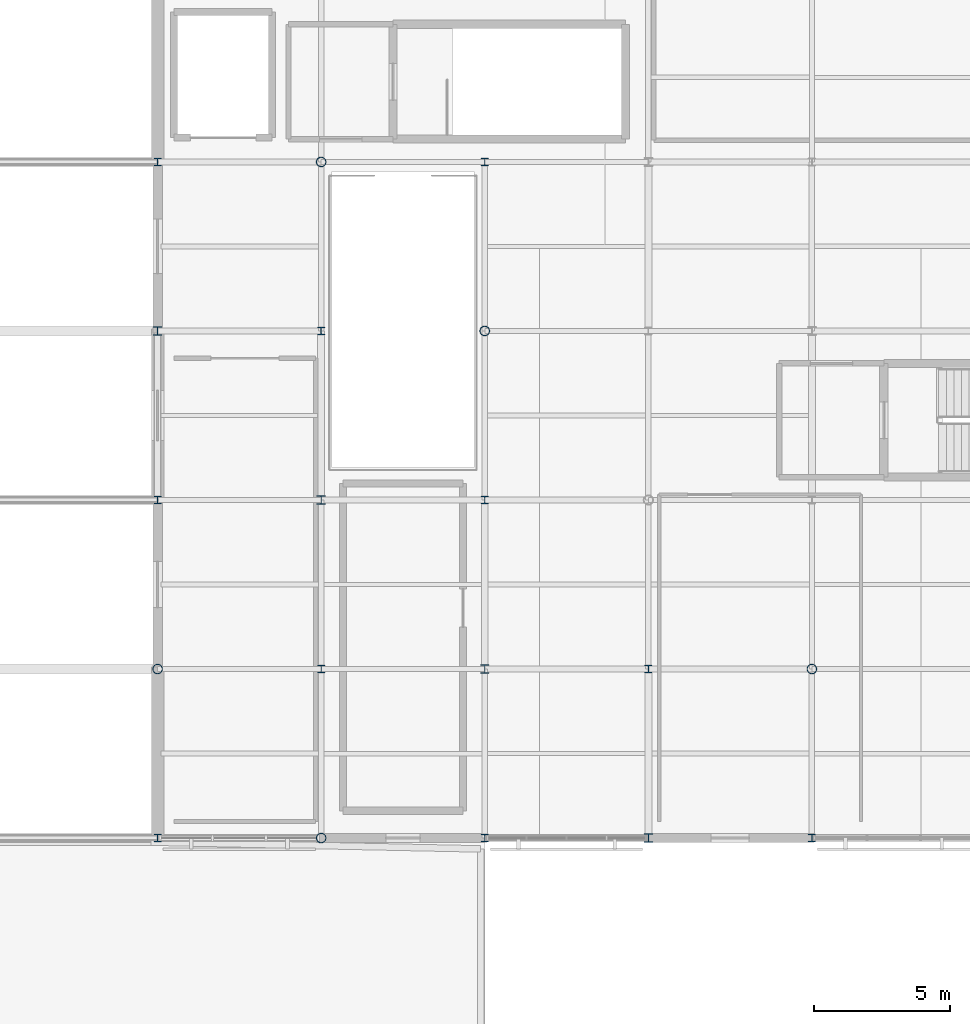
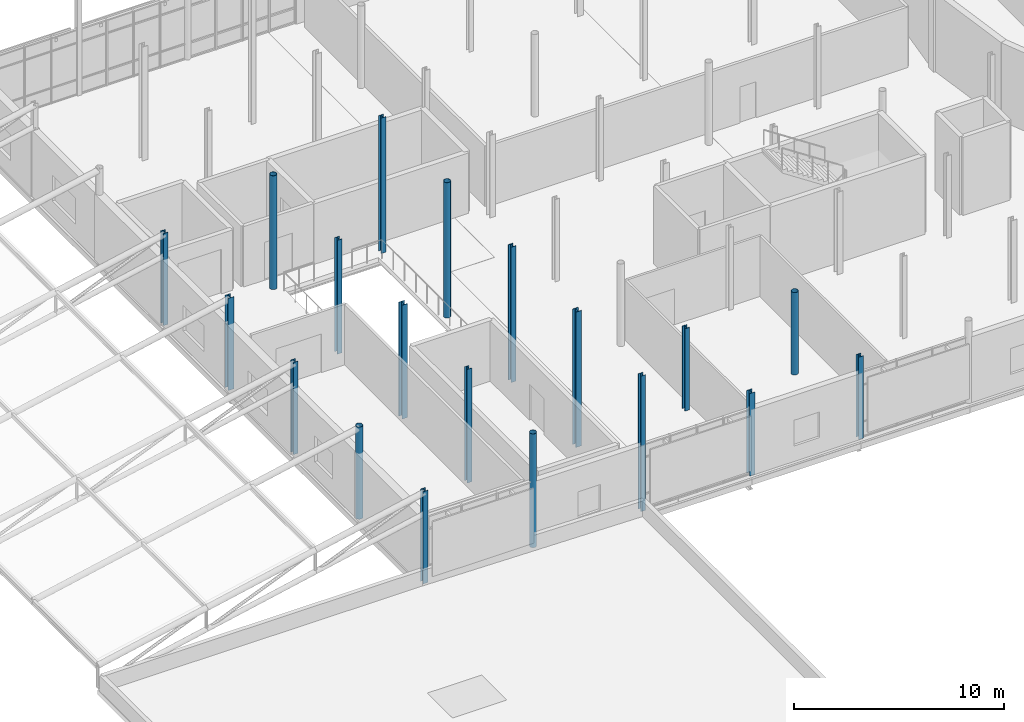
# One storey, part 1 of 84: 19 columns.
"""IFC4 building model written with IfcOpenShell, lengths in metres."""

import ifcopenshell
import ifcopenshell.guid

model = None  # the IFC model being written
_history = None  # IfcOwnerHistory: only IFC2X3 demands one
_inside = {}  # id of a spatial element -> (the spatial element, [elements in it])
_under = {}  # id of a project, library or spatial element -> (it, [spatial elements below it])
_declared = {}  # id of a project -> (the project, [libraries it declares])
_typed = {}  # id of a type object -> (the type object, [elements of that type])
_made_of = {}  # id of a material, layer set ... -> (it, [elements and type objects made of it])


def new_model(schema):
    """Start an empty IFC model of exactly this schema.

    Asked for "IFC4X3", IfcOpenShell would pick the latest addendum, in which some entities
    have other attributes; the version numbers below select the first issue.
    IFC2X3 requires an IfcOwnerHistory on every rooted entity: one is made here for all.
    """
    global model, _history
    if schema == "IFC4X3":
        model = ifcopenshell.file(schema_version=(4, 3, 0, 0))
    else:
        model = ifcopenshell.file(schema=schema)
    _inside.clear()
    _under.clear()
    _declared.clear()
    _typed.clear()
    _made_of.clear()
    _history = None
    if model.schema == "IFC2X3":
        org = make("IfcOrganization", Name="unknown")
        user = make(
            "IfcPersonAndOrganization",
            ThePerson=make("IfcPerson", FamilyName="unknown"),
            TheOrganization=org,
        )
        app = make(
            "IfcApplication",
            ApplicationDeveloper=org,
            Version="unknown",
            ApplicationFullName="unknown",
            ApplicationIdentifier="unknown",
        )
        _history = make(
            "IfcOwnerHistory",
            OwningUser=user,
            OwningApplication=app,
            ChangeAction="ADDED",
            CreationDate=0,
        )
    return model


def make(cls, **values):
    """One entity of the class cls with the attributes given. An attribute that is None is left unset."""
    return model.create_entity(
        cls, **{name: value for name, value in values.items() if value is not None}
    )


def rooted(cls, **values):
    """An entity with a GlobalId (a new one), such as an element, a storey or a relation."""
    return make(cls, GlobalId=ifcopenshell.guid.new(), OwnerHistory=_history, **values)


def si_unit(unit_type, name, prefix=None):
    """IfcSIUnit, for example si_unit("LENGTHUNIT", "METRE", prefix="MILLI")."""
    return make("IfcSIUnit", UnitType=unit_type, Prefix=prefix, Name=name)


def assignment(units):
    """IfcUnitAssignment: the units of a project."""
    return None if units is None else make("IfcUnitAssignment", Units=units)


def point(xyz):
    """IfcCartesianPoint."""
    return None if xyz is None else make("IfcCartesianPoint", Coordinates=xyz)


def direction(xyz):
    """IfcDirection."""
    return None if xyz is None else make("IfcDirection", DirectionRatios=xyz)


def frame(location, z_axis=None, x_axis=None):
    """IfcAxis2Placement3D, a coordinate frame: its origin and axes. An axis left out is left unset."""
    return make(
        "IfcAxis2Placement3D",
        Location=point(location),
        Axis=direction(z_axis),
        RefDirection=direction(x_axis),
    )


def frame_2d(location, x_axis=None):
    """IfcAxis2Placement2D, a coordinate frame in the plane: its origin and x axis."""
    return make(
        "IfcAxis2Placement2D", Location=point(location), RefDirection=direction(x_axis)
    )


def origin():
    """The frame at (0, 0, 0) with its axes left unset."""
    return frame((0.0, 0.0, 0.0))


def origin_2d():
    """The frame at (0, 0) in the plane with its x axis left unset."""
    return frame_2d((0.0, 0.0))


def place(relative_to, where):
    """IfcLocalPlacement: puts the frame where relative to a parent placement (None: the world)."""
    return make(
        "IfcLocalPlacement", PlacementRelTo=relative_to, RelativePlacement=where
    )


def context(
    kind, dimensions, precision=None, world=None, true_north=None, identifier=None
):
    """IfcGeometricRepresentationContext, for example the 3D "Model" context."""
    return make(
        "IfcGeometricRepresentationContext",
        ContextIdentifier=identifier,
        ContextType=kind,
        CoordinateSpaceDimension=dimensions,
        Precision=precision,
        WorldCoordinateSystem=world,
        TrueNorth=true_north,
    )


def subcontext(parent, identifier, kind, view, scale=None):
    """IfcGeometricRepresentationSubContext, for example "Body" below "Model"."""
    return make(
        "IfcGeometricRepresentationSubContext",
        ContextIdentifier=identifier,
        ContextType=kind,
        ParentContext=parent,
        TargetScale=scale,
        TargetView=view,
    )


def project(units=None, contexts=None):
    """IfcProject with its units and contexts."""
    return rooted(
        "IfcProject",
        Name="project",
        RepresentationContexts=contexts,
        UnitsInContext=assignment(units),
    )


def spatial(cls, under=None, at=None, **own):
    """A site, building, storey or space (cls), placed at a placement, below another one or the project."""
    s = rooted(cls, ObjectPlacement=at, **own)
    if under is not None:
        _under.setdefault(under.id(), (under, []))[1].append(s)
    return s


def profile(cls, at=None, kind="AREA", **sizes):
    """A parametric profile (cls). Its sizes go by their IFC names, for example OverallWidth=200.0."""
    return make(cls, ProfileType=kind, Position=at, **sizes)


def hollow_circle(**sizes):
    """IfcCircleHollowProfileDef."""
    return profile("IfcCircleHollowProfileDef", **sizes)


def i_section(**sizes):
    """IfcIShapeProfileDef."""
    return profile("IfcIShapeProfileDef", **sizes)


def extrude(swept, where, along, depth):
    """IfcExtrudedAreaSolid: the profile swept, set in the frame where, extruded along a direction by depth."""
    return make(
        "IfcExtrudedAreaSolid",
        SweptArea=swept,
        Position=where,
        ExtrudedDirection=direction(along),
        Depth=depth,
    )


def shape(context_of_items, identifier, shape_type, items):
    """IfcShapeRepresentation: the items that make up one representation, for example the "Body"."""
    return make(
        "IfcShapeRepresentation",
        ContextOfItems=context_of_items,
        RepresentationIdentifier=identifier,
        RepresentationType=shape_type,
        Items=items,
    )


def material(Name=None, Category=None):
    """IfcMaterial."""
    return make("IfcMaterial", Name=Name, Category=Category)


def material_profile(
    of_material, cross_section, Name=None, Category=None, Priority=None
):
    """IfcMaterialProfile: a cross section and its material."""
    return make(
        "IfcMaterialProfile",
        Name=Name,
        Material=of_material,
        Profile=cross_section,
        Priority=Priority,
        Category=Category,
    )


def profile_set(profiles, Name=None, composite=None):
    """IfcMaterialProfileSet."""
    return make(
        "IfcMaterialProfileSet",
        Name=Name,
        MaterialProfiles=profiles,
        CompositeProfile=composite,
    )


def made_of(thing, what):
    """Note that an element or type object is made of a material, layer set ...; save() writes the relation."""
    if what is not None:
        _made_of.setdefault(what.id(), (what, []))[1].append(thing)
    return thing


def type_object(cls, material=None, **own):
    """A type object (cls), such as IfcWallType, which elements share."""
    return made_of(rooted(cls, **own), material)


def element(
    cls,
    number,
    at=None,
    inside=None,
    cuts=None,
    type_object=None,
    material=None,
    context=None,
    identifier="Body",
    shape_type=None,
    held_by="IfcProductDefinitionShape",
    body=None,
    shapes=None,
    **own,
):
    """One element of the class cls, such as IfcWall. Its Tag is "e" and its number.

    at: its placement. inside: the storey or other place that contains it. cuts: it is an
    opening in that element (IfcRelVoidsElement). A single representation is given by context,
    identifier, shape_type and body (its items); several are given by shapes. held_by: the class
    of the entity that holds the representations. save() writes the other relations.
    """
    e = rooted(cls, Tag="e%d" % number, ObjectPlacement=at, **own)
    if body is not None:
        shapes = [shape(context, identifier, shape_type, body)]
    if shapes is not None:
        e.Representation = make(held_by, Representations=shapes)
    if inside is not None:
        _inside.setdefault(inside.id(), (inside, []))[1].append(e)
    if cuts is not None:
        rooted(
            "IfcRelVoidsElement", RelatingBuildingElement=cuts, RelatedOpeningElement=e
        )
    if type_object is not None:
        _typed.setdefault(type_object.id(), (type_object, []))[1].append(e)
    return made_of(e, material)


def aggregate(whole, parts):
    """IfcRelAggregates: a whole, such as a stair, and the parts it consists of."""
    return rooted("IfcRelAggregates", RelatingObject=whole, RelatedObjects=parts)


def save(model, path):
    """Write the relations noted so far, then the file.

    IfcRelAggregates (storeys below a building ...), IfcRelContainedInSpatialStructure (elements
    in a storey), IfcRelDefinesByType, IfcRelAssociatesMaterial and IfcRelDeclares: one each for
    every whole, place, type object, material and project.
    """
    for whole, parts in _under.values():
        aggregate(whole, parts)
    for where, things in _inside.values():
        rooted(
            "IfcRelContainedInSpatialStructure",
            RelatedElements=things,
            RelatingStructure=where,
        )
    for kind, things in _typed.values():
        rooted("IfcRelDefinesByType", RelatedObjects=things, RelatingType=kind)
    for what, things in _made_of.values():
        rooted("IfcRelAssociatesMaterial", RelatedObjects=things, RelatingMaterial=what)
    for by, libraries in _declared.values():
        rooted("IfcRelDeclares", RelatingContext=by, RelatedDefinitions=libraries)
    model.write(path)


model = new_model("IFC4")

# Units and contexts
model_context = context("Model", 3, precision=1e-05, world=origin(), true_north=direction((0.0, 1.0)))
body_context = subcontext(model_context, "Body", "Model", "MODEL_VIEW")
ifc_project = project(units=[si_unit("LENGTHUNIT", "METRE"), si_unit("AREAUNIT", "SQUARE_METRE"), si_unit("VOLUMEUNIT", "CUBIC_METRE"), si_unit("PLANEANGLEUNIT", "RADIAN"), si_unit("MASSUNIT", "GRAM", prefix="KILO")], contexts=[model_context])

# Site, building, storey
site_placement = place(None, origin())
site = spatial("IfcSite", under=ifc_project, at=site_placement, CompositionType="ELEMENT")
building_placement = place(site_placement, origin())
building = spatial("IfcBuilding", under=site, at=building_placement, Name="Mirzam Square Science Centre", CompositionType="ELEMENT")
storey_placement = place(building_placement, frame((0.0, 0.0, 10.800048828125)))
storey = spatial("IfcBuildingStorey", under=building, at=storey_placement, Name="L02", CompositionType="ELEMENT", Elevation=10.800048828125)

# Columns
ifc_material = material(Name="Steel S355", Category="steel")
ifc_material_profile_1 = material_profile(ifc_material, hollow_circle(Radius=0.177734375, WallThickness=0.012451171875, at=origin_2d()), Name="355.6x12.5CHS")
ifc_profile_set_1 = profile_set([ifc_material_profile_1], Name="Steel S355")
column_type_1 = type_object("IfcColumnType", Name="COL-CHS355", PredefinedType="COLUMN", material=ifc_profile_set_1)
column_1_placement = place(storey_placement, frame((18.0, 43.39990234375, 0.0), z_axis=(0.0, 0.0, 1.0), x_axis=(1.0, 0.0, 0.0)))
element("IfcColumn", 1, at=column_1_placement, inside=storey, type_object=column_type_1, Name="L02 column G04-08", PredefinedType="COLUMN", context=body_context, shape_type="SweptSolid", body=[
    extrude(hollow_circle(Radius=0.177734375, WallThickness=0.012451171875, at=origin_2d()), origin(), (0.0, 0.0, 1.0), 5.369873046875),
])
for number, where, z_axis, x_axis, name in (
    (2, (24.0, 37.199951171875, 0.0), (0.0, 0.0, 1.0), (1.0, 0.0, 0.0), "L02 column G05-07"),
    (3, (24.0, 62.0, 0.0), (0.0, 0.0, 1.0), (1.0, 0.0, 0.0), "L02 column G05-11"),
):
    element("IfcColumn", number, at=place(storey_placement, frame(where, z_axis=z_axis, x_axis=x_axis)), inside=storey, type_object=column_type_1, Name=name, PredefinedType="COLUMN", context=body_context, shape_type="SweptSolid", body=[
        extrude(hollow_circle(Radius=0.177734375, WallThickness=0.012451171875, at=origin_2d()), origin(), (0.0, 0.0, 1.0), 6.6298828125),
    ])
column_2_placement = place(storey_placement, frame((30.0, 55.800048828125, 0.0), z_axis=(0.0, 0.0, 1.0), x_axis=(1.0, 0.0, 0.0)))
element("IfcColumn", 4, at=column_2_placement, inside=storey, type_object=column_type_1, Name="L02 column G06-10", PredefinedType="COLUMN", context=body_context, shape_type="SweptSolid", body=[
    extrude(hollow_circle(Radius=0.177734375, WallThickness=0.012451171875, at=origin_2d()), origin(), (0.0, 0.0, 1.0), 7.889892578125),
])
column_3_placement = place(storey_placement, frame((42.0, 43.39990234375, 0.0), z_axis=(0.0, 0.0, 1.0), x_axis=(1.0, 0.0, 0.0)))
element("IfcColumn", 5, at=column_3_placement, inside=storey, type_object=column_type_1, Name="L02 column G08-08", PredefinedType="COLUMN", context=body_context, shape_type="SweptSolid", body=[
    extrude(hollow_circle(Radius=0.177734375, WallThickness=0.012451171875, at=origin_2d()), origin(), (0.0, 0.0, 1.0), 4.800048828125),
])
ifc_material_profile_2 = material_profile(ifc_material, i_section(OverallWidth=0.25634765625, OverallDepth=0.26025390625, WebThickness=0.01025390625, FlangeThickness=0.017333984375, FilletRadius=0.0126953125, at=origin_2d()), Name="254x254x89UC")
ifc_profile_set_2 = profile_set([ifc_material_profile_2], Name="Steel S355")
column_type_2 = type_object("IfcColumnType", Name="COL-UC254A", PredefinedType="COLUMN", material=ifc_profile_set_2)
column_4_placement = place(storey_placement, frame((18.0, 49.60009765625, 0.0), z_axis=(0.0, 0.0, 1.0), x_axis=(1.0, 0.0, 0.0)))
element("IfcColumn", 6, at=column_4_placement, inside=storey, type_object=column_type_2, Name="L02 column G04-09", PredefinedType="COLUMN", context=body_context, shape_type="SweptSolid", body=[
    extrude(i_section(OverallWidth=0.25634765625, OverallDepth=0.26025390625, WebThickness=0.01025390625, FlangeThickness=0.017333984375, FilletRadius=0.0126953125, at=origin_2d()), origin(), (0.0, 0.0, 1.0), 5.369873046875),
])
column_5_placement = place(storey_placement, frame((24.0, 43.39990234375, 0.0), z_axis=(0.0, 0.0, 1.0), x_axis=(1.0, 0.0, 0.0)))
element("IfcColumn", 7, at=column_5_placement, inside=storey, type_object=column_type_2, Name="L02 column G05-08", PredefinedType="COLUMN", context=body_context, shape_type="SweptSolid", body=[
    extrude(i_section(OverallWidth=0.25634765625, OverallDepth=0.26025390625, WebThickness=0.01025390625, FlangeThickness=0.017333984375, FilletRadius=0.0126953125, at=origin_2d()), origin(), (0.0, 0.0, 1.0), 6.6298828125),
])
for number, where, z_axis, x_axis, name in (
    (8, (30.0, 37.199951171875, 0.0), (0.0, 0.0, 1.0), (1.0, 0.0, 0.0), "L02 column G06-07"),
    (9, (30.0, 62.0, 0.0), (0.0, 0.0, 1.0), (1.0, 0.0, 0.0), "L02 column G06-11"),
):
    element("IfcColumn", number, at=place(storey_placement, frame(where, z_axis=z_axis, x_axis=x_axis)), inside=storey, type_object=column_type_2, Name=name, PredefinedType="COLUMN", context=body_context, shape_type="SweptSolid", body=[
        extrude(i_section(OverallWidth=0.25634765625, OverallDepth=0.26025390625, WebThickness=0.01025390625, FlangeThickness=0.017333984375, FilletRadius=0.0126953125, at=origin_2d()), origin(), (0.0, 0.0, 1.0), 7.889892578125),
    ])
ifc_material_profile_3 = material_profile(ifc_material, i_section(OverallWidth=0.26123046875, OverallDepth=0.2763671875, WebThickness=0.015380859375, FlangeThickness=0.025390625, FilletRadius=0.0126953125, at=origin_2d()), Name="254x254x132UC")
ifc_profile_set_3 = profile_set([ifc_material_profile_3], Name="Steel S355")
column_type_3 = type_object("IfcColumnType", Name="COL-UC254B", PredefinedType="COLUMN", material=ifc_profile_set_3)
for number, where, z_axis, x_axis, name in (
    (10, (18.0, 37.199951171875, 0.0), (0.0, 0.0, 1.0), (1.0, 0.0, 0.0), "L02 column G04-07"),
    (11, (18.0, 62.0, 0.0), (0.0, 0.0, 1.0), (1.0, 0.0, 0.0), "L02 column G04-11"),
):
    element("IfcColumn", number, at=place(storey_placement, frame(where, z_axis=z_axis, x_axis=x_axis)), inside=storey, type_object=column_type_3, Name=name, PredefinedType="COLUMN", context=body_context, shape_type="SweptSolid", body=[
        extrude(i_section(OverallWidth=0.26123046875, OverallDepth=0.2763671875, WebThickness=0.015380859375, FlangeThickness=0.025390625, FilletRadius=0.0126953125, at=origin_2d()), origin(), (0.0, 0.0, 1.0), 5.369873046875),
    ])
column_6_placement = place(storey_placement, frame((24.0, 55.800048828125, 0.0), z_axis=(0.0, 0.0, 1.0), x_axis=(1.0, 0.0, 0.0)))
element("IfcColumn", 12, at=column_6_placement, inside=storey, type_object=column_type_3, Name="L02 column G05-10", PredefinedType="COLUMN", context=body_context, shape_type="SweptSolid", body=[
    extrude(i_section(OverallWidth=0.26123046875, OverallDepth=0.2763671875, WebThickness=0.015380859375, FlangeThickness=0.025390625, FilletRadius=0.0126953125, at=origin_2d()), origin(), (0.0, 0.0, 1.0), 6.6298828125),
])
column_7_placement = place(storey_placement, frame((30.0, 49.60009765625, 0.0), z_axis=(0.0, 0.0, 1.0), x_axis=(1.0, 0.0, 0.0)))
element("IfcColumn", 13, at=column_7_placement, inside=storey, type_object=column_type_3, Name="L02 column G06-09", PredefinedType="COLUMN", context=body_context, shape_type="SweptSolid", body=[
    extrude(i_section(OverallWidth=0.26123046875, OverallDepth=0.2763671875, WebThickness=0.015380859375, FlangeThickness=0.025390625, FilletRadius=0.0126953125, at=origin_2d()), origin(), (0.0, 0.0, 1.0), 7.889892578125),
])
for number, where, z_axis, x_axis, name in (
    (14, (36.0, 43.39990234375, 0.0), (0.0, 0.0, 1.0), (1.0, 0.0, 0.0), "L02 column G07-08"),
    (15, (42.0, 37.199951171875, 0.0), (0.0, 0.0, 1.0), (1.0, 0.0, 0.0), "L02 column G08-07"),
):
    element("IfcColumn", number, at=place(storey_placement, frame(where, z_axis=z_axis, x_axis=x_axis)), inside=storey, type_object=column_type_3, Name=name, PredefinedType="COLUMN", context=body_context, shape_type="SweptSolid", body=[
        extrude(i_section(OverallWidth=0.26123046875, OverallDepth=0.2763671875, WebThickness=0.015380859375, FlangeThickness=0.025390625, FilletRadius=0.0126953125, at=origin_2d()), origin(), (0.0, 0.0, 1.0), 4.800048828125),
    ])
ifc_material_profile_4 = material_profile(ifc_material, i_section(OverallWidth=0.30908203125, OverallDepth=0.320556640625, WebThickness=0.013916015625, FlangeThickness=0.021728515625, FilletRadius=0.01513671875, at=origin_2d()), Name="305x305x137UC")
ifc_profile_set_4 = profile_set([ifc_material_profile_4], Name="Steel S355")
column_type_4 = type_object("IfcColumnType", Name="COL-UC305A", PredefinedType="COLUMN", material=ifc_profile_set_4)
column_8_placement = place(storey_placement, frame((18.0, 55.800048828125, 0.0), z_axis=(0.0, 0.0, 1.0), x_axis=(1.0, 0.0, 0.0)))
element("IfcColumn", 16, at=column_8_placement, inside=storey, type_object=column_type_4, Name="L02 column G04-10", PredefinedType="COLUMN", context=body_context, shape_type="SweptSolid", body=[
    extrude(i_section(OverallWidth=0.30908203125, OverallDepth=0.320556640625, WebThickness=0.013916015625, FlangeThickness=0.021728515625, FilletRadius=0.01513671875, at=origin_2d()), origin(), (0.0, 0.0, 1.0), 5.369873046875),
])
column_9_placement = place(storey_placement, frame((24.0, 49.60009765625, 0.0), z_axis=(0.0, 0.0, 1.0), x_axis=(1.0, 0.0, 0.0)))
element("IfcColumn", 17, at=column_9_placement, inside=storey, type_object=column_type_4, Name="L02 column G05-09", PredefinedType="COLUMN", context=body_context, shape_type="SweptSolid", body=[
    extrude(i_section(OverallWidth=0.30908203125, OverallDepth=0.320556640625, WebThickness=0.013916015625, FlangeThickness=0.021728515625, FilletRadius=0.01513671875, at=origin_2d()), origin(), (0.0, 0.0, 1.0), 6.6298828125),
])
column_10_placement = place(storey_placement, frame((30.0, 43.39990234375, 0.0), z_axis=(0.0, 0.0, 1.0), x_axis=(1.0, 0.0, 0.0)))
element("IfcColumn", 18, at=column_10_placement, inside=storey, type_object=column_type_4, Name="L02 column G06-08", PredefinedType="COLUMN", context=body_context, shape_type="SweptSolid", body=[
    extrude(i_section(OverallWidth=0.30908203125, OverallDepth=0.320556640625, WebThickness=0.013916015625, FlangeThickness=0.021728515625, FilletRadius=0.01513671875, at=origin_2d()), origin(), (0.0, 0.0, 1.0), 7.889892578125),
])
column_11_placement = place(storey_placement, frame((36.0, 37.199951171875, 0.0), z_axis=(0.0, 0.0, 1.0), x_axis=(1.0, 0.0, 0.0)))
element("IfcColumn", 19, at=column_11_placement, inside=storey, type_object=column_type_4, Name="L02 column G07-07", PredefinedType="COLUMN", context=body_context, shape_type="SweptSolid", body=[
    extrude(i_section(OverallWidth=0.30908203125, OverallDepth=0.320556640625, WebThickness=0.013916015625, FlangeThickness=0.021728515625, FilletRadius=0.01513671875, at=origin_2d()), origin(), (0.0, 0.0, 1.0), 4.800048828125),
])

save(model, "model.ifc")
